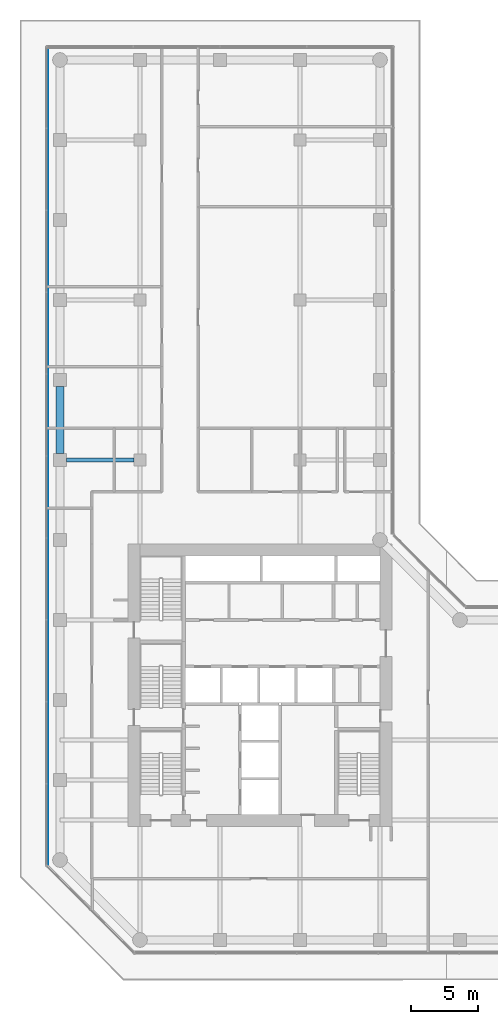
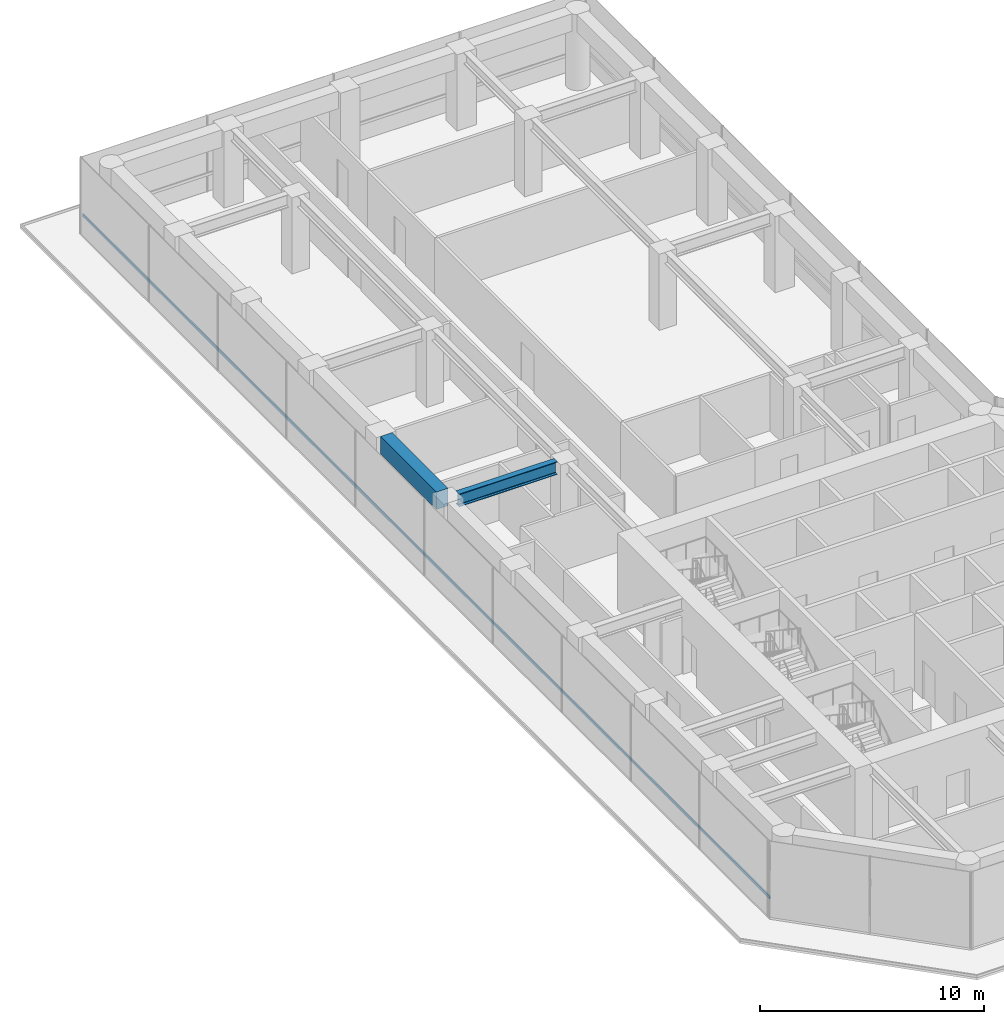
# One storey, part 12 of 24: 2 beams, 1 member, 1 element without a shape of its own.
"""IFC4 building model written with IfcOpenShell, lengths in metres."""

from ifc_helpers import new_model, si_unit, direction, frame, origin, origin_2d, place, context, subcontext, project, spatial, rectangle, i_section, extrude, material, layer, layer_set, material_profile, profile_set, type_object, element, aggregate, save


model = new_model("IFC4")

# Units and contexts
model_context = context("Model", 3, precision=1e-05, world=origin(), true_north=direction((0.0, 1.0)))
body_context = subcontext(model_context, "Body", "Model", "MODEL_VIEW")
ifc_project = project(units=[si_unit("LENGTHUNIT", "METRE"), si_unit("AREAUNIT", "SQUARE_METRE"), si_unit("VOLUMEUNIT", "CUBIC_METRE"), si_unit("PLANEANGLEUNIT", "RADIAN"), si_unit("MASSUNIT", "GRAM", prefix="KILO")], contexts=[model_context])

# Site, building, storey
site_placement = place(None, origin())
site = spatial("IfcSite", under=ifc_project, at=site_placement, CompositionType="ELEMENT")
building_placement = place(site_placement, origin())
building = spatial("IfcBuilding", under=site, at=building_placement, Name="Welwitschia Terrace Campus", CompositionType="ELEMENT")
storey_placement = place(building_placement, frame((0.0, 0.0, 24.5)))
storey = spatial("IfcBuildingStorey", under=building, at=storey_placement, Name="L05", CompositionType="ELEMENT", Elevation=24.5)

# Beams
ifc_material_1 = material(Name="Steel S355", Category="steel")
ifc_material_profile_1 = material_profile(ifc_material_1, i_section(OverallWidth=0.300048828125, OverallDepth=0.699951171875, WebThickness=0.01708984375, FlangeThickness=0.031982421875, FilletRadius=0.027099609375, at=origin_2d()))
ifc_profile_set_1 = profile_set([ifc_material_profile_1], Name="Steel S355")
beam_type_1 = type_object("IfcBeamType", Name="Primary beam HE 700 B", PredefinedType="BEAM", material=ifc_profile_set_1)
beam_1_placement = place(storey_placement, frame((0.50048828125, 32.0, 3.800048828125), z_axis=(1.0, 0.0, 0.0), x_axis=(0.0, 1.0, 0.0)))
element("IfcBeam", 1, at=beam_1_placement, inside=storey, type_object=beam_type_1, Name="Primary beam PB1", PredefinedType="BEAM", context=body_context, shape_type="SweptSolid", body=[
    extrude(i_section(OverallWidth=0.300048828125, OverallDepth=0.699951171875, WebThickness=0.01708984375, FlangeThickness=0.031982421875, FilletRadius=0.027099609375, at=origin_2d()), origin(), (0.0, 0.0, 1.0), 5.049072265625),
])
ifc_material_2 = material(Name="Concrete C60/75", Category="concrete")
ifc_material_profile_2 = material_profile(ifc_material_2, rectangle(XDim=0.60009765625, YDim=0.949951171875, at=origin_2d()))
ifc_profile_set_2 = profile_set([ifc_material_profile_2], Name="Concrete C60/75")
beam_type_2 = type_object("IfcBeamType", Name="Ring spandrel 600x950", PredefinedType="SPANDREL", material=ifc_profile_set_2)
beam_2_placement = place(storey_placement, frame((0.0, 37.49951171875, 3.675048828125), z_axis=(0.0, -1.0, 0.0), x_axis=(1.0, 0.0, 0.0)))
element("IfcBeam", 2, at=beam_2_placement, inside=storey, type_object=beam_type_2, Name="Spandrel SP1", PredefinedType="SPANDREL", context=body_context, shape_type="SweptSolid", body=[
    extrude(rectangle(XDim=0.60009765625, YDim=0.949951171875, at=origin_2d()), origin(), (0.0, 0.0, 1.0), 4.9990234375),
])

# Curtain wall, member
ifc_material_3 = material(Name="Bronze anodised aluminium", Category="aluminium")
ifc_layer = layer(ifc_material_3, 0.1201171875)
ifc_layer_set = layer_set([ifc_layer], Name="Bronze anodised aluminium")
curtain_wall_type = type_object("IfcCurtainWallType", Name="Curtain wall CW2 tower 6000", PredefinedType="NOTDEFINED", material=ifc_layer_set)
curtain_wall_placement = place(storey_placement, origin())
curtain_wall = element("IfcCurtainWall", 3, at=curtain_wall_placement, inside=storey, type_object=curtain_wall_type, Name="CW L05.9.0", PredefinedType="NOTDEFINED")
ifc_material_4 = material(Name="Bronze anodised aluminium", Category="aluminium")
ifc_material_profile_3 = material_profile(ifc_material_4, rectangle(XDim=0.06005859375, YDim=0.14990234375, at=origin_2d()))
ifc_profile_set_3 = profile_set([ifc_material_profile_3], Name="Bronze anodised aluminium")
member_type = type_object("IfcMemberType", Name="Transom 60x150", PredefinedType="USERDEFINED", material=ifc_profile_set_3)
member_placement = place(storey_placement, frame((-0.929931640625, 62.9599609375, 1.0), z_axis=(0.0, -1.0, 0.0), x_axis=(1.0, 0.0, 0.0)))
member = element("IfcMember", 4, at=member_placement, type_object=member_type, Name="Transom L05.9.0", ObjectType="TRANSOM", PredefinedType="USERDEFINED", context=body_context, shape_type="SweptSolid", body=[
    extrude(rectangle(XDim=0.06005859375, YDim=0.14990234375, at=origin_2d()), origin(), (0.0, 0.0, 1.0), 61.322509765625),
])
aggregate(curtain_wall, [member])

save(model, "model.ifc")
